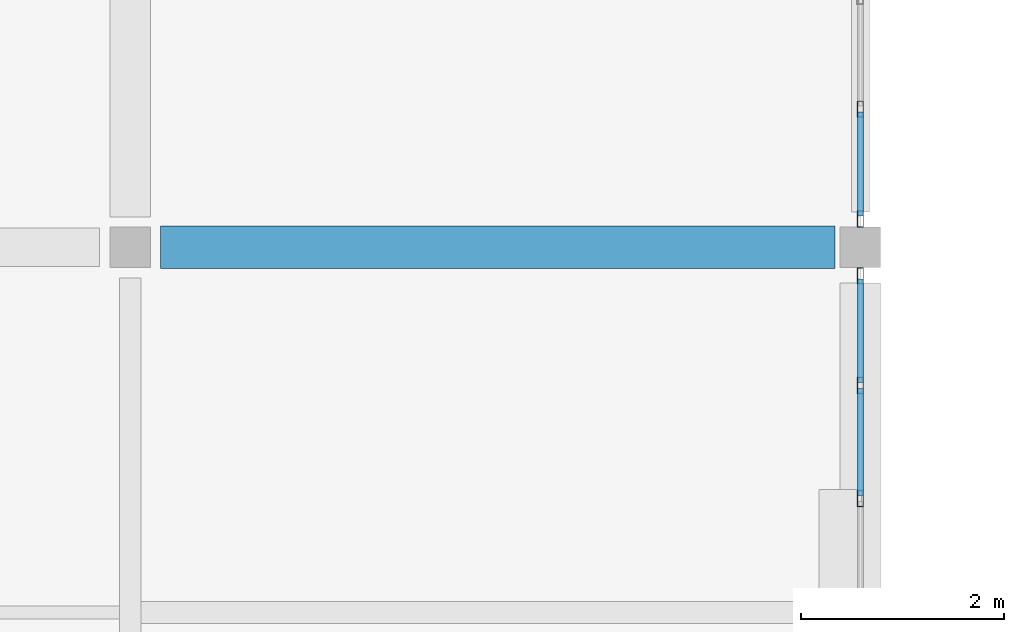
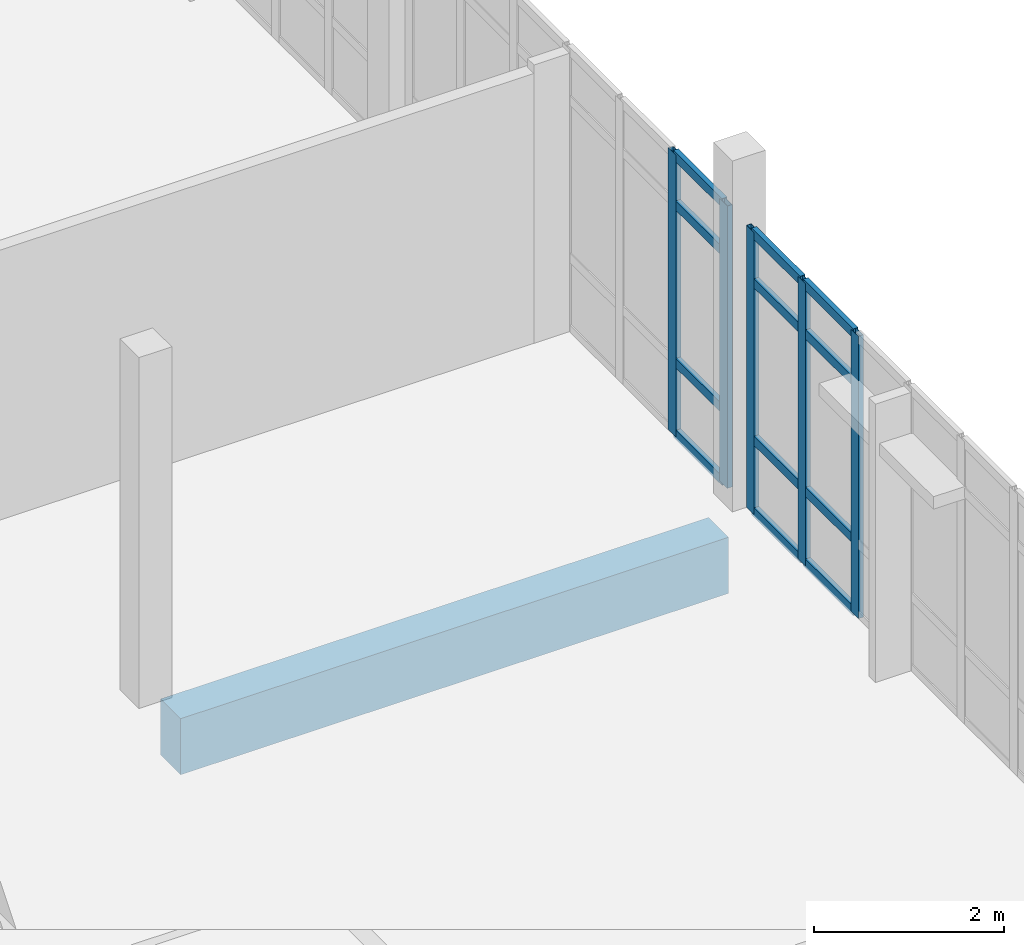
# One storey, part 9 of 62: 17 members, 1 beam, 2 elements without a shape of their own.
"""IFC4 building model written with IfcOpenShell, lengths in metres."""

from ifc_helpers import new_model, si_unit, direction, frame, origin, origin_2d, place, context, subcontext, project, spatial, rectangle, hollow_rectangle, extrude, material, material_profile, profile_set, type_object, element, aggregate, save


model = new_model("IFC4")

# Units and contexts
model_context = context("Model", 3, precision=1e-05, world=origin(), true_north=direction((0.0, 1.0)))
body_context = subcontext(model_context, "Body", "Model", "MODEL_VIEW")
ifc_project = project(units=[si_unit("LENGTHUNIT", "METRE"), si_unit("AREAUNIT", "SQUARE_METRE"), si_unit("VOLUMEUNIT", "CUBIC_METRE"), si_unit("PLANEANGLEUNIT", "RADIAN"), si_unit("MASSUNIT", "GRAM", prefix="KILO")], contexts=[model_context])

# Site, building, storey
site_placement = place(None, origin())
site = spatial("IfcSite", under=ifc_project, at=site_placement, CompositionType="ELEMENT")
building_placement = place(site_placement, origin())
building = spatial("IfcBuilding", under=site, at=building_placement, Name="Kalluvel Institute of Natural Sciences", CompositionType="ELEMENT")
storey_placement = place(building_placement, frame((0.0, 0.0, 27.89990234375)))
storey = spatial("IfcBuildingStorey", under=building, at=storey_placement, Name="L06", CompositionType="ELEMENT", Elevation=27.89990234375)

# Beam
ifc_material_1 = material(Name="Concrete M40", Category="concrete")
ifc_material_profile_1 = material_profile(ifc_material_1, rectangle(XDim=0.419921875, YDim=0.719970703125, at=origin_2d()), Name="RCB 420x720")
ifc_profile_set_1 = profile_set([ifc_material_profile_1], Name="Concrete M40")
beam_type = type_object("IfcBeamType", Name="BM-RC420x720", PredefinedType="BEAM", material=ifc_profile_set_1)
beam_placement = place(storey_placement, frame((28.699951171875, 42.800048828125, -0.659912109375), z_axis=(1.0, 0.0, 0.0), x_axis=(0.0, 1.0, 0.0)))
element("IfcBeam", 1, at=beam_placement, inside=storey, type_object=beam_type, Name="L06 girder GIR-L06-EW-X284-Y428", PredefinedType="BEAM", context=body_context, shape_type="SweptSolid", body=[
    extrude(rectangle(XDim=0.419921875, YDim=0.719970703125, at=origin_2d()), origin(), (0.0, 0.0, 1.0), 6.650146484375),
])

# Curtain wall, members
ifc_material_2 = material(Name="Aluminium AW-6063 T6", Category="aluminium")
curtain_wall_type = type_object("IfcCurtainWallType", Name="CW-DRY-45", PredefinedType="USERDEFINED", material=ifc_material_2)
curtain_wall_1_placement = place(storey_placement, origin())
curtain_wall_1 = element("IfcCurtainWall", 2, at=curtain_wall_1_placement, inside=storey, type_object=curtain_wall_type, Name="L06 Gothic lancet curtain wall CWA-L06-X356-Y359", ObjectType="UNITISED LANCET FACADE", PredefinedType="USERDEFINED")
ifc_material_profile_2 = material_profile(ifc_material_2, hollow_rectangle(XDim=0.06005859375, YDim=0.159912109375, WallThickness=0.00390625, at=origin_2d()), Name="CWM 60x160")
ifc_profile_set_2 = profile_set([ifc_material_profile_2], Name="Aluminium AW-6063 T6")
member_type_1 = type_object("IfcMemberType", Name="CWM-60x160", PredefinedType="MULLION", material=ifc_profile_set_2)
member_1_placement = place(storey_placement, frame((35.60009765625, 40.324951171875, 0.0), z_axis=(0.0, 0.0, 1.0), x_axis=(-1.0, 0.0, 0.0)))
member_1 = element("IfcMember", 3, at=member_1_placement, type_object=member_type_1, Name="CW-03 mullion 5", PredefinedType="MULLION", context=body_context, shape_type="SweptSolid", body=[
    extrude(hollow_rectangle(XDim=0.06005859375, YDim=0.159912109375, WallThickness=0.00390625, at=origin_2d()), origin(), (0.0, 0.0, 1.0), 3.6201171875),
])
member_2_placement = place(storey_placement, frame((35.60009765625, 41.4375, 0.0), z_axis=(0.0, 0.0, 1.0), x_axis=(-1.0, 0.0, 0.0)))
member_2 = element("IfcMember", 4, at=member_2_placement, type_object=member_type_1, Name="CW-03 mullion 6", PredefinedType="MULLION", context=body_context, shape_type="SweptSolid", body=[
    extrude(hollow_rectangle(XDim=0.06005859375, YDim=0.159912109375, WallThickness=0.00390625, at=origin_2d()), origin(), (0.0, 0.0, 1.0), 3.6201171875),
])
member_3_placement = place(storey_placement, frame((35.60009765625, 42.52001953125, 0.0), z_axis=(0.0, 0.0, 1.0), x_axis=(-1.0, 0.0, 0.0)))
member_3 = element("IfcMember", 5, at=member_3_placement, type_object=member_type_1, Name="CW-03 mullion 7", PredefinedType="MULLION", context=body_context, shape_type="SweptSolid", body=[
    extrude(hollow_rectangle(XDim=0.06005859375, YDim=0.159912109375, WallThickness=0.00390625, at=origin_2d()), origin(), (0.0, 0.0, 1.0), 3.6201171875),
])

curtain_wall_2_placement = place(storey_placement, origin())
curtain_wall_2 = element("IfcCurtainWall", 6, at=curtain_wall_2_placement, inside=storey, type_object=curtain_wall_type, Name="L06 Gothic lancet curtain wall CWA-L06-X356-Y430", ObjectType="UNITISED LANCET FACADE", PredefinedType="USERDEFINED")
member_4_placement = place(storey_placement, frame((35.60009765625, 43.080078125, 0.0), z_axis=(0.0, 0.0, 1.0), x_axis=(-1.0, 0.0, 0.0)))
member_4 = element("IfcMember", 7, at=member_4_placement, type_object=member_type_1, Name="CW-03 mullion 1", PredefinedType="MULLION", context=body_context, shape_type="SweptSolid", body=[
    extrude(hollow_rectangle(XDim=0.06005859375, YDim=0.159912109375, WallThickness=0.00390625, at=origin_2d()), origin(), (0.0, 0.0, 1.0), 3.6201171875),
])
member_5_placement = place(storey_placement, frame((35.60009765625, 44.16259765625, 0.0), z_axis=(0.0, 0.0, 1.0), x_axis=(-1.0, 0.0, 0.0)))
member_5 = element("IfcMember", 8, at=member_5_placement, type_object=member_type_1, Name="CW-03 mullion 2", PredefinedType="MULLION", context=body_context, shape_type="SweptSolid", body=[
    extrude(hollow_rectangle(XDim=0.06005859375, YDim=0.159912109375, WallThickness=0.00390625, at=origin_2d()), origin(), (0.0, 0.0, 1.0), 3.6201171875),
])

# Member
ifc_material_profile_3 = material_profile(ifc_material_2, hollow_rectangle(XDim=0.06005859375, YDim=0.1201171875, WallThickness=0.00390625, at=origin_2d()), Name="CWT 60x120")
ifc_profile_set_3 = profile_set([ifc_material_profile_3], Name="Aluminium AW-6063 T6")
member_type_2 = type_object("IfcMemberType", Name="CWT-60x120", PredefinedType="USERDEFINED", material=ifc_profile_set_3)
member_6_placement = place(storey_placement, frame((35.60009765625, 40.35498046875, 0.030029296875), z_axis=(0.0, 1.0, 0.0), x_axis=(-1.0, 0.0, 0.0)))
member_6 = element("IfcMember", 9, at=member_6_placement, type_object=member_type_2, Name="CW-03 transom 5.1", ObjectType="TRANSOM", PredefinedType="USERDEFINED", context=body_context, shape_type="SweptSolid", body=[
    extrude(hollow_rectangle(XDim=0.06005859375, YDim=0.1201171875, WallThickness=0.00390625, at=origin_2d()), origin(), (0.0, 0.0, 1.0), 1.052490234375),
])

member_7_placement = place(storey_placement, frame((35.60009765625, 40.35498046875, 0.9501953125), z_axis=(0.0, 1.0, 0.0), x_axis=(-1.0, 0.0, 0.0)))
member_7 = element("IfcMember", 10, at=member_7_placement, type_object=member_type_2, Name="CW-03 transom 5.2", ObjectType="TRANSOM", PredefinedType="USERDEFINED", context=body_context, shape_type="SweptSolid", body=[
    extrude(hollow_rectangle(XDim=0.06005859375, YDim=0.1201171875, WallThickness=0.00390625, at=origin_2d()), origin(), (0.0, 0.0, 1.0), 1.052490234375),
])

member_8_placement = place(storey_placement, frame((35.60009765625, 40.35498046875, 2.97021484375), z_axis=(0.0, 1.0, 0.0), x_axis=(-1.0, 0.0, 0.0)))
member_8 = element("IfcMember", 11, at=member_8_placement, type_object=member_type_2, Name="CW-03 transom 5.3", ObjectType="TRANSOM", PredefinedType="USERDEFINED", context=body_context, shape_type="SweptSolid", body=[
    extrude(hollow_rectangle(XDim=0.06005859375, YDim=0.1201171875, WallThickness=0.00390625, at=origin_2d()), origin(), (0.0, 0.0, 1.0), 1.052490234375),
])

member_9_placement = place(storey_placement, frame((35.60009765625, 40.35498046875, 3.590087890625), z_axis=(0.0, 1.0, 0.0), x_axis=(-1.0, 0.0, 0.0)))
member_9 = element("IfcMember", 12, at=member_9_placement, type_object=member_type_2, Name="CW-03 transom 5.4", ObjectType="TRANSOM", PredefinedType="USERDEFINED", context=body_context, shape_type="SweptSolid", body=[
    extrude(hollow_rectangle(XDim=0.06005859375, YDim=0.1201171875, WallThickness=0.00390625, at=origin_2d()), origin(), (0.0, 0.0, 1.0), 1.052490234375),
])

member_10_placement = place(storey_placement, frame((35.60009765625, 41.467529296875, 0.030029296875), z_axis=(0.0, 1.0, 0.0), x_axis=(-1.0, 0.0, 0.0)))
member_10 = element("IfcMember", 13, at=member_10_placement, type_object=member_type_2, Name="CW-03 transom 6.1", ObjectType="TRANSOM", PredefinedType="USERDEFINED", context=body_context, shape_type="SweptSolid", body=[
    extrude(hollow_rectangle(XDim=0.06005859375, YDim=0.1201171875, WallThickness=0.00390625, at=origin_2d()), origin(), (0.0, 0.0, 1.0), 1.0224609375),
])

member_11_placement = place(storey_placement, frame((35.60009765625, 41.467529296875, 0.9501953125), z_axis=(0.0, 1.0, 0.0), x_axis=(-1.0, 0.0, 0.0)))
member_11 = element("IfcMember", 14, at=member_11_placement, type_object=member_type_2, Name="CW-03 transom 6.2", ObjectType="TRANSOM", PredefinedType="USERDEFINED", context=body_context, shape_type="SweptSolid", body=[
    extrude(hollow_rectangle(XDim=0.06005859375, YDim=0.1201171875, WallThickness=0.00390625, at=origin_2d()), origin(), (0.0, 0.0, 1.0), 1.0224609375),
])

member_12_placement = place(storey_placement, frame((35.60009765625, 41.467529296875, 2.97021484375), z_axis=(0.0, 1.0, 0.0), x_axis=(-1.0, 0.0, 0.0)))
member_12 = element("IfcMember", 15, at=member_12_placement, type_object=member_type_2, Name="CW-03 transom 6.3", ObjectType="TRANSOM", PredefinedType="USERDEFINED", context=body_context, shape_type="SweptSolid", body=[
    extrude(hollow_rectangle(XDim=0.06005859375, YDim=0.1201171875, WallThickness=0.00390625, at=origin_2d()), origin(), (0.0, 0.0, 1.0), 1.0224609375),
])

member_13_placement = place(storey_placement, frame((35.60009765625, 41.467529296875, 3.590087890625), z_axis=(0.0, 1.0, 0.0), x_axis=(-1.0, 0.0, 0.0)))
member_13 = element("IfcMember", 16, at=member_13_placement, type_object=member_type_2, Name="CW-03 transom 6.4", ObjectType="TRANSOM", PredefinedType="USERDEFINED", context=body_context, shape_type="SweptSolid", body=[
    extrude(hollow_rectangle(XDim=0.06005859375, YDim=0.1201171875, WallThickness=0.00390625, at=origin_2d()), origin(), (0.0, 0.0, 1.0), 1.0224609375),
])

aggregate(curtain_wall_1, [member_1, member_2, member_3, member_6, member_7, member_8, member_9, member_10, member_11, member_12, member_13])

member_14_placement = place(storey_placement, frame((35.60009765625, 43.110107421875, 0.030029296875), z_axis=(0.0, 1.0, 0.0), x_axis=(-1.0, 0.0, 0.0)))
member_14 = element("IfcMember", 17, at=member_14_placement, type_object=member_type_2, Name="CW-03 transom 1.1", ObjectType="TRANSOM", PredefinedType="USERDEFINED", context=body_context, shape_type="SweptSolid", body=[
    extrude(hollow_rectangle(XDim=0.06005859375, YDim=0.1201171875, WallThickness=0.00390625, at=origin_2d()), origin(), (0.0, 0.0, 1.0), 1.0224609375),
])

member_15_placement = place(storey_placement, frame((35.60009765625, 43.110107421875, 0.9501953125), z_axis=(0.0, 1.0, 0.0), x_axis=(-1.0, 0.0, 0.0)))
member_15 = element("IfcMember", 18, at=member_15_placement, type_object=member_type_2, Name="CW-03 transom 1.2", ObjectType="TRANSOM", PredefinedType="USERDEFINED", context=body_context, shape_type="SweptSolid", body=[
    extrude(hollow_rectangle(XDim=0.06005859375, YDim=0.1201171875, WallThickness=0.00390625, at=origin_2d()), origin(), (0.0, 0.0, 1.0), 1.0224609375),
])

member_16_placement = place(storey_placement, frame((35.60009765625, 43.110107421875, 2.97021484375), z_axis=(0.0, 1.0, 0.0), x_axis=(-1.0, 0.0, 0.0)))
member_16 = element("IfcMember", 19, at=member_16_placement, type_object=member_type_2, Name="CW-03 transom 1.3", ObjectType="TRANSOM", PredefinedType="USERDEFINED", context=body_context, shape_type="SweptSolid", body=[
    extrude(hollow_rectangle(XDim=0.06005859375, YDim=0.1201171875, WallThickness=0.00390625, at=origin_2d()), origin(), (0.0, 0.0, 1.0), 1.0224609375),
])

member_17_placement = place(storey_placement, frame((35.60009765625, 43.110107421875, 3.590087890625), z_axis=(0.0, 1.0, 0.0), x_axis=(-1.0, 0.0, 0.0)))
member_17 = element("IfcMember", 20, at=member_17_placement, type_object=member_type_2, Name="CW-03 transom 1.4", ObjectType="TRANSOM", PredefinedType="USERDEFINED", context=body_context, shape_type="SweptSolid", body=[
    extrude(hollow_rectangle(XDim=0.06005859375, YDim=0.1201171875, WallThickness=0.00390625, at=origin_2d()), origin(), (0.0, 0.0, 1.0), 1.0224609375),
])

aggregate(curtain_wall_2, [member_4, member_5, member_14, member_15, member_16, member_17])

save(model, "model.ifc")
